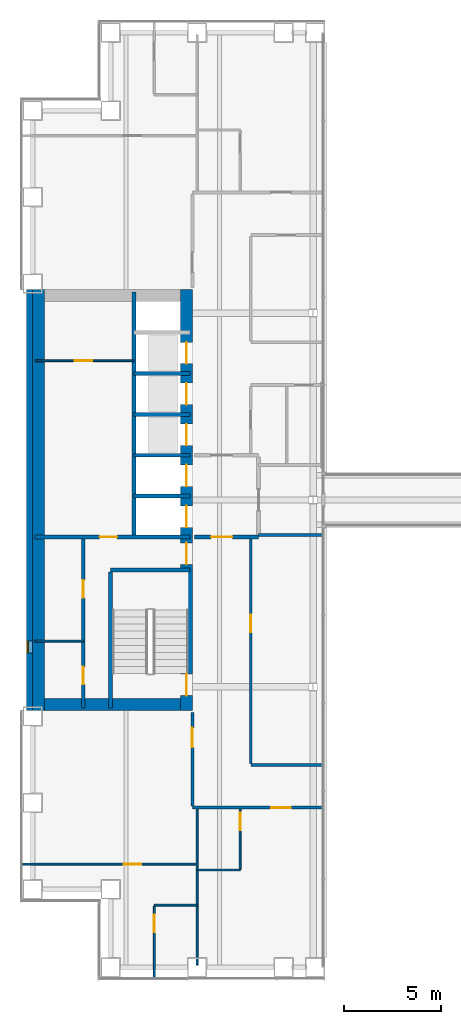
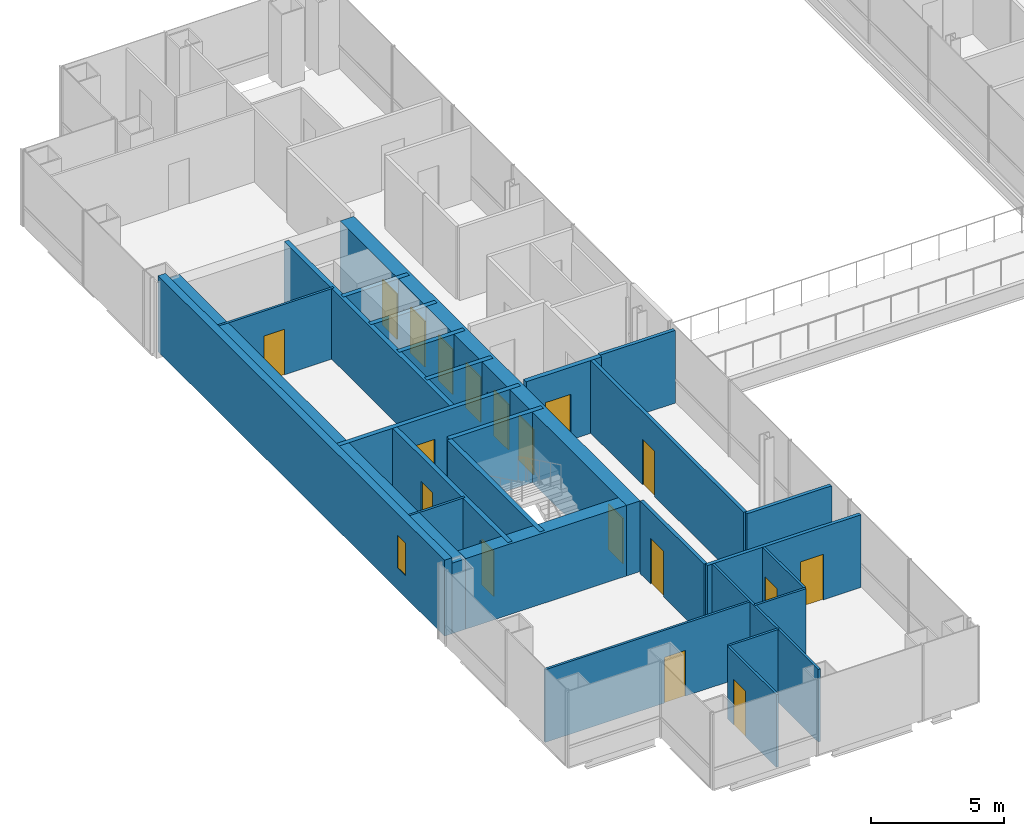
# One storey, part 13 of 18: 27 walls, 18 doors, 1 window, 19 openings.
"""IFC4 building model written with IfcOpenShell, lengths in metres."""

from ifc_helpers import new_model, si_unit, direction, frame, frame_2d, origin, place, context, subcontext, project, spatial, rectangle, extrude, material, layer, layer_set, type_object, element, fill, save


model = new_model("IFC4")

# Units and contexts
model_context = context("Model", 3, precision=1e-05, world=origin(), true_north=direction((0.0, 1.0)))
body_context = subcontext(model_context, "Body", "Model", "MODEL_VIEW")
ifc_project = project(units=[si_unit("LENGTHUNIT", "METRE"), si_unit("AREAUNIT", "SQUARE_METRE"), si_unit("VOLUMEUNIT", "CUBIC_METRE"), si_unit("PLANEANGLEUNIT", "RADIAN"), si_unit("MASSUNIT", "GRAM", prefix="KILO")], contexts=[model_context])

# Site, building, storey
site_placement = place(None, origin())
site = spatial("IfcSite", under=ifc_project, at=site_placement, CompositionType="ELEMENT")
building_placement = place(site_placement, origin())
building = spatial("IfcBuilding", under=site, at=building_placement, Name="Cobrizo Arcos Hotel Tower", CompositionType="ELEMENT")
storey_placement = place(building_placement, frame((0.0, 0.0, 77.5)))
storey = spatial("IfcBuildingStorey", under=building, at=storey_placement, Name="L18", CompositionType="ELEMENT", Elevation=77.5)

# Wall, opening, door
ifc_material_1 = material(Name="Gypsum board partition")
ifc_layer_1 = layer(ifc_material_1, 0.14990234375)
ifc_layer_set_1 = layer_set([ifc_layer_1], Name="Corridor wall EI 60 150")
wall_type_1 = type_object("IfcWallType", Name="Corridor wall EI 60 150", PredefinedType="PARTITIONING", material=ifc_layer_set_1)
wall_1_placement = place(storey_placement, frame((-15.800048828125, -15.800048828125, 0.0), z_axis=(0.0, 0.0, 1.0), x_axis=(1.0, 0.0, 0.0)))
wall_1 = element("IfcWall", 1, at=wall_1_placement, inside=storey, type_object=wall_type_1, Name="Partition 007", PredefinedType="PARTITIONING", context=body_context, shape_type="SweptSolid", body=[
    extrude(rectangle(XDim=6.679931640625, YDim=0.14990234375, at=frame_2d((3.33984375, 0.0))), origin(), (0.0, 0.0, 1.0), 3.35009765625),
])
opening_1_placement = place(wall_1_placement, frame((4.047119140625, 0.0, 0.0)))
opening_1 = element("IfcOpeningElement", 2, at=opening_1_placement, cuts=wall_1, Name="Opening GD-04", PredefinedType="OPENING", context=body_context, shape_type="SweptSolid", body=[
    extrude(rectangle(XDim=1.0, YDim=2.10009765625, at=frame_2d((0.5, 1.050048828125))), frame((0.0, 0.0869140625, 0.0), z_axis=(0.0, -1.0, 0.0), x_axis=(1.0, 0.0, 0.0)), (0.0, 0.0, 1.0), 0.173828125),
])
ifc_material_2 = material(Name="Timber door leaf", Category="wood")
door_type_1 = type_object("IfcDoorType", Name="Guest room door FD30S 1000x2100", OperationType="SINGLE_SWING_LEFT", PredefinedType="DOOR", material=ifc_material_2)
door_1_placement = place(opening_1_placement, origin())
door_1 = element("IfcDoor", 3, at=door_1_placement, inside=storey, type_object=door_type_1, Name="Door GD-04", OperationType="SINGLE_SWING_LEFT", OverallHeight=2.10009765625, OverallWidth=1.0, PredefinedType="DOOR", context=body_context, shape_type="SweptSolid", body=[
    extrude(rectangle(XDim=1.0, YDim=2.10009765625, at=frame_2d((0.5, 1.050048828125))), frame((0.0, 0.02490234375, 0.0), z_axis=(0.0, -1.0, 0.0), x_axis=(1.0, 0.0, 0.0)), (0.0, 0.0, 1.0), 0.050048828125),
])
fill(opening_1, door_1)

# Walls
wall_2_placement = place(storey_placement, frame((-12.800048828125, -13.60009765625, 0.0), z_axis=(0.0, 0.0, 1.0), x_axis=(1.0, 0.0, 0.0)))
element("IfcWall", 4, at=wall_2_placement, inside=storey, type_object=wall_type_1, Name="Partition 009", PredefinedType="PARTITIONING", context=body_context, shape_type="SweptSolid", body=[
    extrude(rectangle(XDim=3.679931640625, YDim=0.14990234375, at=frame_2d((1.83984375, 0.0))), origin(), (0.0, 0.0, 1.0), 3.35009765625),
])
wall_3_placement = place(storey_placement, frame((-12.39990234375, -1.800048828125, 0.0), z_axis=(0.0, 0.0, 1.0), x_axis=(1.0, 0.0, 0.0)))
element("IfcWall", 5, at=wall_3_placement, inside=storey, type_object=wall_type_1, Name="Partition 019", PredefinedType="PARTITIONING", context=body_context, shape_type="SweptSolid", body=[
    extrude(rectangle(XDim=3.27978515625, YDim=0.14990234375, at=frame_2d((1.639892578125, 0.0))), origin(), (0.0, 0.0, 1.0), 3.35009765625),
])

# Wall, opening, door
wall_4_placement = place(storey_placement, frame((-15.800048828125, -15.72509765625, 0.0), z_axis=(0.0, 0.0, 1.0), x_axis=(0.0, 1.0, 0.0)))
wall_4 = element("IfcWall", 6, at=wall_4_placement, inside=storey, type_object=wall_type_1, Name="Partition 055", PredefinedType="PARTITIONING", context=body_context, shape_type="SweptSolid", body=[
    extrude(rectangle(XDim=4.80517578125, YDim=0.14990234375, at=frame_2d((2.402587890625, 0.0))), origin(), (0.0, 0.0, 1.0), 3.35009765625),
])
opening_2_placement = place(wall_4_placement, frame((3.02490234375, 0.0, 0.0)))
opening_2 = element("IfcOpeningElement", 7, at=opening_2_placement, cuts=wall_4, Name="Opening GD-05", PredefinedType="OPENING", context=body_context, shape_type="SweptSolid", body=[
    extrude(rectangle(XDim=1.0, YDim=2.10009765625, at=frame_2d((0.5, 1.050048828125))), frame((0.0, 0.0869140625, 0.0), z_axis=(0.0, -1.0, 0.0), x_axis=(1.0, 0.0, 0.0)), (0.0, 0.0, 1.0), 0.173828125),
])
door_2_placement = place(opening_2_placement, origin())
door_2 = element("IfcDoor", 8, at=door_2_placement, inside=storey, type_object=door_type_1, Name="Door GD-05", OperationType="SINGLE_SWING_RIGHT", OverallHeight=2.10009765625, OverallWidth=1.0, PredefinedType="DOOR", context=body_context, shape_type="SweptSolid", body=[
    extrude(rectangle(XDim=1.0, YDim=2.10009765625, at=frame_2d((0.5, 1.050048828125))), frame((0.0, 0.02490234375, 0.0), z_axis=(0.0, -1.0, 0.0), x_axis=(1.0, 0.0, 0.0)), (0.0, 0.0, 1.0), 0.050048828125),
])
fill(opening_2, door_2)

wall_5_placement = place(storey_placement, frame((-12.800048828125, -13.52490234375, 0.0), z_axis=(0.0, 0.0, 1.0), x_axis=(0.0, 1.0, 0.0)))
wall_5 = element("IfcWall", 9, at=wall_5_placement, inside=storey, type_object=wall_type_1, Name="Partition 061", PredefinedType="PARTITIONING", context=body_context, shape_type="SweptSolid", body=[
    extrude(rectangle(XDim=11.52490234375, YDim=0.14990234375, at=frame_2d((5.762451171875, 0.0))), origin(), (0.0, 0.0, 1.0), 3.35009765625),
])
opening_3_placement = place(wall_5_placement, frame((6.72509765625, 0.0, 0.0)))
opening_3 = element("IfcOpeningElement", 10, at=opening_3_placement, cuts=wall_5, Name="Opening RD-17", PredefinedType="OPENING", context=body_context, shape_type="SweptSolid", body=[
    extrude(rectangle(XDim=0.89990234375, YDim=2.10009765625, at=frame_2d((0.449951171875, 1.050048828125))), frame((0.0, 0.0869140625, 0.0), z_axis=(0.0, -1.0, 0.0), x_axis=(1.0, 0.0, 0.0)), (0.0, 0.0, 1.0), 0.173828125),
])
door_type_2 = type_object("IfcDoorType", Name="Room door FD30 900x2100", OperationType="SINGLE_SWING_LEFT", PredefinedType="DOOR", material=ifc_material_2)
door_3_placement = place(opening_3_placement, origin())
door_3 = element("IfcDoor", 11, at=door_3_placement, inside=storey, type_object=door_type_2, Name="Door RD-17", OperationType="SINGLE_SWING_RIGHT", OverallHeight=2.10009765625, OverallWidth=0.89990234375, PredefinedType="DOOR", context=body_context, shape_type="SweptSolid", body=[
    extrude(rectangle(XDim=0.89990234375, YDim=2.10009765625, at=frame_2d((0.449951171875, 1.050048828125))), frame((0.0, 0.02490234375, 0.0), z_axis=(0.0, -1.0, 0.0), x_axis=(1.0, 0.0, 0.0)), (0.0, 0.0, 1.0), 0.050048828125),
])
fill(opening_3, door_3)

# Wall, opening, window
ifc_material_3 = material(Name="Aluminium composite panel pale metal", Category="aluminium")
ifc_layer_2 = layer(ifc_material_3, 0.324951171875)
ifc_layer_set_2 = layer_set([ifc_layer_2], Name="EW-1 insulated panel wall 325")
wall_type_2 = type_object("IfcWallType", Name="EW-1 insulated panel wall 325", PredefinedType="SOLIDWALL", material=ifc_layer_set_2)
wall_6_placement = place(storey_placement, frame((-24.16259765625, 10.800048828125, 0.0), z_axis=(0.0, 0.0, 1.0), x_axis=(0.0, -1.0, 0.0)))
wall_6 = element("IfcWall", 12, at=wall_6_placement, inside=storey, type_object=wall_type_2, Name="Core face wall L18 W", PredefinedType="SOLIDWALL", context=body_context, shape_type="SweptSolid", body=[
    extrude(rectangle(XDim=21.60009765625, YDim=0.324951171875, at=frame_2d((10.800048828125, 0.0))), origin(), (0.0, 0.0, 1.0), 3.5),
])
opening_4_placement = place(wall_6_placement, frame((18.050048828125, 0.0, 1.0)))
opening_4 = element("IfcOpeningElement", 13, at=opening_4_placement, cuts=wall_6, Name="Opening W-32", PredefinedType="OPENING", context=body_context, shape_type="SweptSolid", body=[
    extrude(rectangle(XDim=0.60009765625, YDim=1.5, at=frame_2d((0.300048828125, 0.75))), frame((0.0, 0.174560546875, 0.0), z_axis=(0.0, -1.0, 0.0), x_axis=(1.0, 0.0, 0.0)), (0.0, 0.0, 1.0), 0.348876953125),
])
ifc_material_4 = material(Name="Aluminium 6063-T6 and clear laminated glass", Category="aluminium")
window_type = type_object("IfcWindowType", Name="W-C1 core stair slot window 600x1500", PartitioningType="SINGLE_PANEL", PredefinedType="WINDOW", material=ifc_material_4)
window_placement = place(opening_4_placement, origin())
window = element("IfcWindow", 14, at=window_placement, inside=storey, type_object=window_type, Name="Core face wall L18 W window W-32", OverallHeight=1.5, OverallWidth=0.60009765625, PartitioningType="SINGLE_PANEL", PredefinedType="WINDOW", context=body_context, shape_type="SweptSolid", body=[
    extrude(rectangle(XDim=0.60009765625, YDim=1.5, at=frame_2d((0.300048828125, 0.75))), frame((0.0, -0.072509765625, 0.0), z_axis=(0.0, -1.0, 0.0), x_axis=(1.0, 0.0, 0.0)), (0.0, 0.0, 1.0), 0.06005859375),
])
fill(opening_4, window)

# Walls
ifc_layer_3 = layer(ifc_material_1, 0.10009765625)
ifc_layer_set_3 = layer_set([ifc_layer_3], Name="Partition EI 30 100")
wall_type_3 = type_object("IfcWallType", Name="Partition EI 30 100", PredefinedType="PARTITIONING", material=ifc_layer_set_3)
for number, where, z_axis, x_axis, name in (
    (15, (-17.75, -20.800048828125, 0.0), (0.0, 0.0, 1.0), (1.0, 0.0, 0.0), "Partition 001"),
    (16, (-15.550048828125, -19.0, 0.0), (0.0, 0.0, 1.0), (1.0, 0.0, 0.0), "Partition 003"),
):
    element("IfcWall", number, at=place(storey_placement, frame(where, z_axis=z_axis, x_axis=x_axis)), inside=storey, type_object=wall_type_3, Name=name, PredefinedType="PARTITIONING", context=body_context, shape_type="SweptSolid", body=[
        extrude(rectangle(XDim=2.199951171875, YDim=0.10009765625, at=frame_2d((1.10009765625, 0.0))), origin(), (0.0, 0.0, 1.0), 3.35009765625),
    ])

# Wall, opening, door
wall_7_placement = place(storey_placement, frame((-24.530029296875, -18.699951171875, 0.0), z_axis=(0.0, 0.0, 1.0), x_axis=(1.0, 0.0, 0.0)))
wall_7 = element("IfcWall", 17, at=wall_7_placement, inside=storey, type_object=wall_type_3, Name="Partition 005", PredefinedType="PARTITIONING", context=body_context, shape_type="SweptSolid", body=[
    extrude(rectangle(XDim=8.97998046875, YDim=0.10009765625, at=frame_2d((4.489990234375, 0.0))), origin(), (0.0, 0.0, 1.0), 3.35009765625),
])
opening_5_placement = place(wall_7_placement, frame((5.201904296875, 0.0, 0.0)))
opening_5 = element("IfcOpeningElement", 18, at=opening_5_placement, cuts=wall_7, Name="Opening RD-09", PredefinedType="OPENING", context=body_context, shape_type="SweptSolid", body=[
    extrude(rectangle(XDim=0.89990234375, YDim=2.10009765625, at=frame_2d((0.449951171875, 1.050048828125))), frame((0.0, 0.06201171875, 0.0), z_axis=(0.0, -1.0, 0.0), x_axis=(1.0, 0.0, 0.0)), (0.0, 0.0, 1.0), 0.1240234375),
])
door_4_placement = place(opening_5_placement, origin())
door_4 = element("IfcDoor", 19, at=door_4_placement, inside=storey, type_object=door_type_2, Name="Door RD-09", OperationType="SINGLE_SWING_LEFT", OverallHeight=2.10009765625, OverallWidth=0.89990234375, PredefinedType="DOOR", context=body_context, shape_type="SweptSolid", body=[
    extrude(rectangle(XDim=0.89990234375, YDim=2.10009765625, at=frame_2d((0.449951171875, 1.050048828125))), frame((0.0, 0.02490234375, 0.0), z_axis=(0.0, -1.0, 0.0), x_axis=(1.0, 0.0, 0.0)), (0.0, 0.0, 1.0), 0.050048828125),
])
fill(opening_5, door_4)

# Wall
wall_8_placement = place(storey_placement, frame((-23.8798828125, -7.25, 0.0), z_axis=(0.0, 0.0, 1.0), x_axis=(1.0, 0.0, 0.0)))
element("IfcWall", 20, at=wall_8_placement, inside=storey, type_object=wall_type_3, Name="Partition 011", PredefinedType="PARTITIONING", context=body_context, shape_type="SweptSolid", body=[
    extrude(rectangle(XDim=2.47998046875, YDim=0.10009765625, at=frame_2d((1.239990234375, 0.0))), origin(), (0.0, 0.0, 1.0), 3.25),
])

# Wall, opening, door
wall_9_placement = place(storey_placement, frame((-23.8798828125, 7.14990234375, 0.0), z_axis=(0.0, 0.0, 1.0), x_axis=(1.0, 0.0, 0.0)))
wall_9 = element("IfcWall", 21, at=wall_9_placement, inside=storey, type_object=wall_type_3, Name="Partition 035", PredefinedType="PARTITIONING", context=body_context, shape_type="SweptSolid", body=[
    extrude(rectangle(XDim=5.079833984375, YDim=0.10009765625, at=frame_2d((2.5400390625, 0.0))), origin(), (0.0, 0.0, 1.0), 3.25),
])
opening_6_placement = place(wall_9_placement, frame((2.030029296875, 0.0, 0.0)))
opening_6 = element("IfcOpeningElement", 22, at=opening_6_placement, cuts=wall_9, Name="Opening RD-04", PredefinedType="OPENING", context=body_context, shape_type="SweptSolid", body=[
    extrude(rectangle(XDim=0.89990234375, YDim=2.10009765625, at=frame_2d((0.449951171875, 1.050048828125))), frame((0.0, 0.06201171875, 0.0), z_axis=(0.0, -1.0, 0.0), x_axis=(1.0, 0.0, 0.0)), (0.0, 0.0, 1.0), 0.1240234375),
])
door_5_placement = place(opening_6_placement, origin())
door_5 = element("IfcDoor", 23, at=door_5_placement, inside=storey, type_object=door_type_2, Name="Door RD-04", OperationType="SINGLE_SWING_RIGHT", OverallHeight=2.10009765625, OverallWidth=0.89990234375, PredefinedType="DOOR", context=body_context, shape_type="SweptSolid", body=[
    extrude(rectangle(XDim=0.89990234375, YDim=2.10009765625, at=frame_2d((0.449951171875, 1.050048828125))), frame((0.0, 0.02490234375, 0.0), z_axis=(0.0, -1.0, 0.0), x_axis=(1.0, 0.0, 0.0)), (0.0, 0.0, 1.0), 0.050048828125),
])
fill(opening_6, door_5)

wall_10_placement = place(storey_placement, frame((-17.75, -24.530029296875, 0.0), z_axis=(0.0, 0.0, 1.0), x_axis=(0.0, 1.0, 0.0)))
wall_10 = element("IfcWall", 24, at=wall_10_placement, inside=storey, type_object=wall_type_3, Name="Partition 053", PredefinedType="PARTITIONING", context=body_context, shape_type="SweptSolid", body=[
    extrude(rectangle(XDim=3.679931640625, YDim=0.10009765625, at=frame_2d((1.83984375, 0.0))), origin(), (0.0, 0.0, 1.0), 3.35009765625),
])
opening_7_placement = place(wall_10_placement, frame((2.320068359375, 0.0, 0.0)))
opening_7 = element("IfcOpeningElement", 25, at=opening_7_placement, cuts=wall_10, Name="Opening ED-05", PredefinedType="OPENING", context=body_context, shape_type="SweptSolid", body=[
    extrude(rectangle(XDim=0.89990234375, YDim=2.10009765625, at=frame_2d((0.449951171875, 1.050048828125))), frame((0.0, 0.06201171875, 0.0), z_axis=(0.0, -1.0, 0.0), x_axis=(1.0, 0.0, 0.0)), (0.0, 0.0, 1.0), 0.1240234375),
])
door_type_3 = type_object("IfcDoorType", Name="En-suite door 900x2100", OperationType="SINGLE_SWING_LEFT", PredefinedType="DOOR", material=ifc_material_2)
door_6_placement = place(opening_7_placement, origin())
door_6 = element("IfcDoor", 26, at=door_6_placement, inside=storey, type_object=door_type_3, Name="Door ED-05", OperationType="SINGLE_SWING_RIGHT", OverallHeight=2.10009765625, OverallWidth=0.89990234375, PredefinedType="DOOR", context=body_context, shape_type="SweptSolid", body=[
    extrude(rectangle(XDim=0.89990234375, YDim=2.10009765625, at=frame_2d((0.449951171875, 1.050048828125))), frame((0.0, 0.02490234375, 0.0), z_axis=(0.0, -1.0, 0.0), x_axis=(1.0, 0.0, 0.0)), (0.0, 0.0, 1.0), 0.050048828125),
])
fill(opening_7, door_6)

# Wall
wall_11_placement = place(storey_placement, frame((-15.550048828125, -23.8798828125, 0.0), z_axis=(0.0, 0.0, 1.0), x_axis=(0.0, 1.0, 0.0)))
element("IfcWall", 27, at=wall_11_placement, inside=storey, type_object=wall_type_3, Name="Partition 057", PredefinedType="PARTITIONING", context=body_context, shape_type="SweptSolid", body=[
    extrude(rectangle(XDim=8.0048828125, YDim=0.10009765625, at=frame_2d((4.00244140625, 0.0))), origin(), (0.0, 0.0, 1.0), 3.35009765625),
])

# Wall, opening, door
wall_12_placement = place(storey_placement, frame((-13.35009765625, -18.949951171875, 0.0), z_axis=(0.0, 0.0, 1.0), x_axis=(0.0, 1.0, 0.0)))
wall_12 = element("IfcWall", 28, at=wall_12_placement, inside=storey, type_object=wall_type_3, Name="Partition 059", PredefinedType="PARTITIONING", context=body_context, shape_type="SweptSolid", body=[
    extrude(rectangle(XDim=3.074951171875, YDim=0.10009765625, at=frame_2d((1.53759765625, 0.0))), origin(), (0.0, 0.0, 1.0), 3.35009765625),
])
opening_8_placement = place(wall_12_placement, frame((1.99609375, 0.0, 0.0)))
opening_8 = element("IfcOpeningElement", 29, at=opening_8_placement, cuts=wall_12, Name="Opening ED-04", PredefinedType="OPENING", context=body_context, shape_type="SweptSolid", body=[
    extrude(rectangle(XDim=0.89990234375, YDim=2.10009765625, at=frame_2d((0.449951171875, 1.050048828125))), frame((0.0, 0.06201171875, 0.0), z_axis=(0.0, -1.0, 0.0), x_axis=(1.0, 0.0, 0.0)), (0.0, 0.0, 1.0), 0.1240234375),
])
door_7_placement = place(opening_8_placement, origin())
door_7 = element("IfcDoor", 30, at=door_7_placement, inside=storey, type_object=door_type_3, Name="Door ED-04", OperationType="SINGLE_SWING_RIGHT", OverallHeight=2.10009765625, OverallWidth=0.89990234375, PredefinedType="DOOR", context=body_context, shape_type="SweptSolid", body=[
    extrude(rectangle(XDim=0.89990234375, YDim=2.10009765625, at=frame_2d((0.449951171875, 1.050048828125))), frame((0.0, 0.02490234375, 0.0), z_axis=(0.0, -1.0, 0.0), x_axis=(1.0, 0.0, 0.0)), (0.0, 0.0, 1.0), 0.050048828125),
])
fill(opening_8, door_7)

# Wall, openings, doors
ifc_material_5 = material(Name="Concrete f'c 60 MPa", Category="concrete")
ifc_layer_4 = layer(ifc_material_5, 0.60009765625)
ifc_layer_set_4 = layer_set([ifc_layer_4], Name="RC core wall 600 f'c 60")
wall_type_4 = type_object("IfcWallType", Name="RC core wall 600 f'c 60", PredefinedType="SHEAR", material=ifc_layer_set_4)
wall_13_placement = place(storey_placement, frame((-16.10009765625, -10.800048828125, 0.0), z_axis=(0.0, 0.0, 1.0), x_axis=(0.0, 1.0, 0.0)))
wall_13 = element("IfcWall", 31, at=wall_13_placement, inside=storey, type_object=wall_type_4, Name="Core wall CW1, west core, inner face, L18", PredefinedType="SHEAR", context=body_context, shape_type="SweptSolid", body=[
    extrude(rectangle(XDim=21.60009765625, YDim=0.60009765625, at=frame_2d((10.800048828125, 0.0))), origin(), (0.0, 0.0, 1.0), 3.25),
])
opening_9_placement = place(wall_13_placement, frame((9.39990234375, 0.0, 0.0)))
opening_9 = element("IfcOpeningElement", 32, at=opening_9_placement, cuts=wall_13, Name="Opening LD-01", PredefinedType="OPENING", context=body_context, shape_type="SweptSolid", body=[
    extrude(rectangle(XDim=1.10009765625, YDim=2.10009765625, at=frame_2d((0.550048828125, 1.050048828125))), frame((0.0, 0.31201171875, 0.0), z_axis=(0.0, -1.0, 0.0), x_axis=(1.0, 0.0, 0.0)), (0.0, 0.0, 1.0), 0.6240234375),
])
opening_10_placement = place(wall_13_placement, frame((11.5, 0.0, 0.0)))
opening_10 = element("IfcOpeningElement", 33, at=opening_10_placement, cuts=wall_13, Name="Opening LD-02", PredefinedType="OPENING", context=body_context, shape_type="SweptSolid", body=[
    extrude(rectangle(XDim=1.10009765625, YDim=2.10009765625, at=frame_2d((0.550048828125, 1.050048828125))), frame((0.0, 0.31201171875, 0.0), z_axis=(0.0, -1.0, 0.0), x_axis=(1.0, 0.0, 0.0)), (0.0, 0.0, 1.0), 0.6240234375),
])
opening_11_placement = place(wall_13_placement, frame((13.60009765625, 0.0, 0.0)))
opening_11 = element("IfcOpeningElement", 34, at=opening_11_placement, cuts=wall_13, Name="Opening LD-03", PredefinedType="OPENING", context=body_context, shape_type="SweptSolid", body=[
    extrude(rectangle(XDim=1.10009765625, YDim=2.10009765625, at=frame_2d((0.550048828125, 1.050048828125))), frame((0.0, 0.31201171875, 0.0), z_axis=(0.0, -1.0, 0.0), x_axis=(1.0, 0.0, 0.0)), (0.0, 0.0, 1.0), 0.6240234375),
])
opening_12_placement = place(wall_13_placement, frame((15.699951171875, 0.0, 0.0)))
opening_12 = element("IfcOpeningElement", 35, at=opening_12_placement, cuts=wall_13, Name="Opening LD-04", PredefinedType="OPENING", context=body_context, shape_type="SweptSolid", body=[
    extrude(rectangle(XDim=1.10009765625, YDim=2.10009765625, at=frame_2d((0.550048828125, 1.050048828125))), frame((0.0, 0.31201171875, 0.0), z_axis=(0.0, -1.0, 0.0), x_axis=(1.0, 0.0, 0.0)), (0.0, 0.0, 1.0), 0.6240234375),
])
opening_13_placement = place(wall_13_placement, frame((17.800048828125, 0.0, 0.0)))
opening_13 = element("IfcOpeningElement", 36, at=opening_13_placement, cuts=wall_13, Name="Opening LD-05", PredefinedType="OPENING", context=body_context, shape_type="SweptSolid", body=[
    extrude(rectangle(XDim=1.10009765625, YDim=2.10009765625, at=frame_2d((0.550048828125, 1.050048828125))), frame((0.0, 0.31201171875, 0.0), z_axis=(0.0, -1.0, 0.0), x_axis=(1.0, 0.0, 0.0)), (0.0, 0.0, 1.0), 0.6240234375),
])
opening_14_placement = place(wall_13_placement, frame((0.758056640625, 0.0, 0.0)))
opening_14 = element("IfcOpeningElement", 37, at=opening_14_placement, cuts=wall_13, Name="Opening SD-01", PredefinedType="OPENING", context=body_context, shape_type="SweptSolid", body=[
    extrude(rectangle(XDim=1.10009765625, YDim=2.10009765625, at=frame_2d((0.550048828125, 1.050048828125))), frame((0.0, 0.31201171875, 0.0), z_axis=(0.0, -1.0, 0.0), x_axis=(1.0, 0.0, 0.0)), (0.0, 0.0, 1.0), 0.6240234375),
])
opening_15_placement = place(wall_13_placement, frame((7.5, 0.0, 0.0)))
opening_15 = element("IfcOpeningElement", 38, at=opening_15_placement, cuts=wall_13, Name="Opening FD-01", PredefinedType="OPENING", context=body_context, shape_type="SweptSolid", body=[
    extrude(rectangle(XDim=1.10009765625, YDim=2.10009765625, at=frame_2d((0.550048828125, 1.050048828125))), frame((0.0, 0.31201171875, 0.0), z_axis=(0.0, -1.0, 0.0), x_axis=(1.0, 0.0, 0.0)), (0.0, 0.0, 1.0), 0.6240234375),
])
ifc_material_6 = material(Name="Steel door leaf", Category="steel")
door_type_4 = type_object("IfcDoorType", Name="Fire door FD60 1100x2100", OperationType="SINGLE_SWING_LEFT", PredefinedType="DOOR", material=ifc_material_6)
door_8_placement = place(opening_15_placement, origin())
door_8 = element("IfcDoor", 39, at=door_8_placement, inside=storey, type_object=door_type_4, Name="Door FD-01", OperationType="SINGLE_SWING_RIGHT", OverallHeight=2.10009765625, OverallWidth=1.10009765625, PredefinedType="DOOR", context=body_context, shape_type="SweptSolid", body=[
    extrude(rectangle(XDim=1.10009765625, YDim=2.10009765625, at=frame_2d((0.550048828125, 1.050048828125))), frame((0.0, 0.02490234375, 0.0), z_axis=(0.0, -1.0, 0.0), x_axis=(1.0, 0.0, 0.0)), (0.0, 0.0, 1.0), 0.050048828125),
])
fill(opening_15, door_8)
door_type_5 = type_object("IfcDoorType", Name="Lift landing door 1100x2100", OperationType="SLIDING_TO_LEFT", PredefinedType="DOOR", material=ifc_material_6)
door_9_placement = place(opening_9_placement, origin())
door_9 = element("IfcDoor", 40, at=door_9_placement, inside=storey, type_object=door_type_5, Name="Lift landing door LD-01", OperationType="SLIDING_TO_LEFT", OverallHeight=2.10009765625, OverallWidth=1.10009765625, PredefinedType="DOOR", context=body_context, shape_type="SweptSolid", body=[
    extrude(rectangle(XDim=1.10009765625, YDim=2.10009765625, at=frame_2d((0.550048828125, 1.050048828125))), frame((0.0, 0.02490234375, 0.0), z_axis=(0.0, -1.0, 0.0), x_axis=(1.0, 0.0, 0.0)), (0.0, 0.0, 1.0), 0.050048828125),
])
fill(opening_9, door_9)
door_10_placement = place(opening_10_placement, origin())
door_10 = element("IfcDoor", 41, at=door_10_placement, inside=storey, type_object=door_type_5, Name="Lift landing door LD-02", OperationType="SLIDING_TO_LEFT", OverallHeight=2.10009765625, OverallWidth=1.10009765625, PredefinedType="DOOR", context=body_context, shape_type="SweptSolid", body=[
    extrude(rectangle(XDim=1.10009765625, YDim=2.10009765625, at=frame_2d((0.550048828125, 1.050048828125))), frame((0.0, 0.02490234375, 0.0), z_axis=(0.0, -1.0, 0.0), x_axis=(1.0, 0.0, 0.0)), (0.0, 0.0, 1.0), 0.050048828125),
])
fill(opening_10, door_10)
door_11_placement = place(opening_11_placement, origin())
door_11 = element("IfcDoor", 42, at=door_11_placement, inside=storey, type_object=door_type_5, Name="Lift landing door LD-03", OperationType="SLIDING_TO_LEFT", OverallHeight=2.10009765625, OverallWidth=1.10009765625, PredefinedType="DOOR", context=body_context, shape_type="SweptSolid", body=[
    extrude(rectangle(XDim=1.10009765625, YDim=2.10009765625, at=frame_2d((0.550048828125, 1.050048828125))), frame((0.0, 0.02490234375, 0.0), z_axis=(0.0, -1.0, 0.0), x_axis=(1.0, 0.0, 0.0)), (0.0, 0.0, 1.0), 0.050048828125),
])
fill(opening_11, door_11)
door_12_placement = place(opening_12_placement, origin())
door_12 = element("IfcDoor", 43, at=door_12_placement, inside=storey, type_object=door_type_5, Name="Lift landing door LD-04", OperationType="SLIDING_TO_LEFT", OverallHeight=2.10009765625, OverallWidth=1.10009765625, PredefinedType="DOOR", context=body_context, shape_type="SweptSolid", body=[
    extrude(rectangle(XDim=1.10009765625, YDim=2.10009765625, at=frame_2d((0.550048828125, 1.050048828125))), frame((0.0, 0.02490234375, 0.0), z_axis=(0.0, -1.0, 0.0), x_axis=(1.0, 0.0, 0.0)), (0.0, 0.0, 1.0), 0.050048828125),
])
fill(opening_12, door_12)
door_13_placement = place(opening_13_placement, origin())
door_13 = element("IfcDoor", 44, at=door_13_placement, inside=storey, type_object=door_type_5, Name="Lift landing door LD-05", OperationType="SLIDING_TO_LEFT", OverallHeight=2.10009765625, OverallWidth=1.10009765625, PredefinedType="DOOR", context=body_context, shape_type="SweptSolid", body=[
    extrude(rectangle(XDim=1.10009765625, YDim=2.10009765625, at=frame_2d((0.550048828125, 1.050048828125))), frame((0.0, 0.02490234375, 0.0), z_axis=(0.0, -1.0, 0.0), x_axis=(1.0, 0.0, 0.0)), (0.0, 0.0, 1.0), 0.050048828125),
])
fill(opening_13, door_13)
door_type_6 = type_object("IfcDoorType", Name="Stair door FD60S 1100x2100", OperationType="SINGLE_SWING_LEFT", PredefinedType="DOOR", material=ifc_material_6)
door_14_placement = place(opening_14_placement, origin())
door_14 = element("IfcDoor", 45, at=door_14_placement, inside=storey, type_object=door_type_6, Name="Door SD-01", OperationType="SINGLE_SWING_RIGHT", OverallHeight=2.10009765625, OverallWidth=1.10009765625, PredefinedType="DOOR", context=body_context, shape_type="SweptSolid", body=[
    extrude(rectangle(XDim=1.10009765625, YDim=2.10009765625, at=frame_2d((0.550048828125, 1.050048828125))), frame((0.0, 0.02490234375, 0.0), z_axis=(0.0, -1.0, 0.0), x_axis=(1.0, 0.0, 0.0)), (0.0, 0.0, 1.0), 0.050048828125),
])
fill(opening_14, door_14)

# Walls
wall_14_placement = place(storey_placement, frame((-23.699951171875, -10.800048828125, 0.0), z_axis=(0.0, 0.0, 1.0), x_axis=(0.0, 1.0, 0.0)))
element("IfcWall", 46, at=wall_14_placement, inside=storey, type_object=wall_type_4, Name="Core wall CW1, west core, outer face, L18", PredefinedType="SHEAR", context=body_context, shape_type="SweptSolid", body=[
    extrude(rectangle(XDim=21.60009765625, YDim=0.60009765625, at=frame_2d((10.800048828125, 0.0))), origin(), (0.0, 0.0, 1.0), 3.25),
])
wall_15_placement = place(storey_placement, frame((-23.39990234375, -10.5, 0.0), z_axis=(0.0, 0.0, 1.0), x_axis=(1.0, 0.0, 0.0)))
element("IfcWall", 47, at=wall_15_placement, inside=storey, type_object=wall_type_4, Name="Core wall CW1, west core, south end, L18", PredefinedType="SHEAR", context=body_context, shape_type="SweptSolid", body=[
    extrude(rectangle(XDim=7.0, YDim=0.60009765625, at=frame_2d((3.5, 0.0))), origin(), (0.0, 0.0, 1.0), 3.25),
])

# Wall, opening, door
ifc_layer_5 = layer(ifc_material_1, 0.199951171875)
ifc_layer_set_5 = layer_set([ifc_layer_5], Name="Shaft wall EI 120 200")
wall_type_5 = type_object("IfcWallType", Name="Shaft wall EI 120 200", PredefinedType="PARTITIONING", material=ifc_layer_set_5)
wall_16_placement = place(storey_placement, frame((-23.8798828125, -1.89990234375, 0.0), z_axis=(0.0, 0.0, 1.0), x_axis=(1.0, 0.0, 0.0)))
wall_16 = element("IfcWall", 48, at=wall_16_placement, inside=storey, type_object=wall_type_5, Name="Partition 015", PredefinedType="PARTITIONING", context=body_context, shape_type="SweptSolid", body=[
    extrude(rectangle(XDim=7.9599609375, YDim=0.199951171875, at=frame_2d((3.97998046875, 0.0))), origin(), (0.0, 0.0, 1.0), 3.25),
])
opening_16_placement = place(wall_16_placement, frame((3.320068359375, 0.0, 0.0)))
opening_16 = element("IfcOpeningElement", 49, at=opening_16_placement, cuts=wall_16, Name="Opening RD-03", PredefinedType="OPENING", context=body_context, shape_type="SweptSolid", body=[
    extrude(rectangle(XDim=0.89990234375, YDim=2.10009765625, at=frame_2d((0.449951171875, 1.050048828125))), frame((0.0, 0.112060546875, 0.0), z_axis=(0.0, -1.0, 0.0), x_axis=(1.0, 0.0, 0.0)), (0.0, 0.0, 1.0), 0.223876953125),
])
door_15_placement = place(opening_16_placement, origin())
door_15 = element("IfcDoor", 50, at=door_15_placement, inside=storey, type_object=door_type_2, Name="Door RD-03", OperationType="SINGLE_SWING_RIGHT", OverallHeight=2.10009765625, OverallWidth=0.89990234375, PredefinedType="DOOR", context=body_context, shape_type="SweptSolid", body=[
    extrude(rectangle(XDim=0.89990234375, YDim=2.10009765625, at=frame_2d((0.449951171875, 1.050048828125))), frame((0.0, 0.02490234375, 0.0), z_axis=(0.0, -1.0, 0.0), x_axis=(1.0, 0.0, 0.0)), (0.0, 0.0, 1.0), 0.050048828125),
])
fill(opening_16, door_15)

wall_17_placement = place(storey_placement, frame((-15.679931640625, -1.89990234375, 0.0), z_axis=(0.0, 0.0, 1.0), x_axis=(1.0, 0.0, 0.0)))
wall_17 = element("IfcWall", 51, at=wall_17_placement, inside=storey, type_object=wall_type_5, Name="Partition 016", PredefinedType="PARTITIONING", context=body_context, shape_type="SweptSolid", body=[
    extrude(rectangle(XDim=3.280029296875, YDim=0.199951171875, at=frame_2d((1.64013671875, 0.0))), origin(), (0.0, 0.0, 1.0), 3.35009765625),
])
opening_17_placement = place(wall_17_placement, frame((0.840087890625, 0.0, 0.0)))
opening_17 = element("IfcOpeningElement", 52, at=opening_17_placement, cuts=wall_17, Name="Opening FD-03", PredefinedType="OPENING", context=body_context, shape_type="SweptSolid", body=[
    extrude(rectangle(XDim=1.10009765625, YDim=2.10009765625, at=frame_2d((0.550048828125, 1.050048828125))), frame((0.0, 0.112060546875, 0.0), z_axis=(0.0, -1.0, 0.0), x_axis=(1.0, 0.0, 0.0)), (0.0, 0.0, 1.0), 0.223876953125),
])
door_16_placement = place(opening_17_placement, origin())
door_16 = element("IfcDoor", 53, at=door_16_placement, inside=storey, type_object=door_type_4, Name="Door FD-03", OperationType="SINGLE_SWING_LEFT", OverallHeight=2.10009765625, OverallWidth=1.10009765625, PredefinedType="DOOR", context=body_context, shape_type="SweptSolid", body=[
    extrude(rectangle(XDim=1.10009765625, YDim=2.10009765625, at=frame_2d((0.550048828125, 1.050048828125))), frame((0.0, 0.02490234375, 0.0), z_axis=(0.0, -1.0, 0.0), x_axis=(1.0, 0.0, 0.0)), (0.0, 0.0, 1.0), 0.050048828125),
])
fill(opening_17, door_16)

# Walls
for number, where, z_axis, x_axis, name in (
    (54, (-18.800048828125, 0.199951171875, 0.0), (0.0, 0.0, 1.0), (1.0, 0.0, 0.0), "Partition 021"),
    (55, (-18.800048828125, 2.300048828125, 0.0), (0.0, 0.0, 1.0), (1.0, 0.0, 0.0), "Partition 025"),
    (56, (-18.800048828125, 4.39990234375, 0.0), (0.0, 0.0, 1.0), (1.0, 0.0, 0.0), "Partition 029"),
    (57, (-18.800048828125, 6.5, 0.0), (0.0, 0.0, 1.0), (1.0, 0.0, 0.0), "Partition 033"),
):
    element("IfcWall", number, at=place(storey_placement, frame(where, z_axis=z_axis, x_axis=x_axis)), inside=storey, type_object=wall_type_5, Name=name, PredefinedType="PARTITIONING", context=body_context, shape_type="SweptSolid", body=[
        extrude(rectangle(XDim=2.880126953125, YDim=0.199951171875, at=frame_2d((1.43994140625, 0.0))), origin(), (0.0, 0.0, 1.0), 3.25),
    ])

# Wall, openings, doors
wall_18_placement = place(storey_placement, frame((-21.39990234375, -10.679931640625, 0.0), z_axis=(0.0, 0.0, 1.0), x_axis=(0.0, 1.0, 0.0)))
wall_18 = element("IfcWall", 58, at=wall_18_placement, inside=storey, type_object=wall_type_5, Name="Partition 050", PredefinedType="PARTITIONING", context=body_context, shape_type="SweptSolid", body=[
    extrude(rectangle(XDim=8.679931640625, YDim=0.199951171875, at=frame_2d((4.33984375, 0.0))), origin(), (0.0, 0.0, 1.0), 3.25),
])
opening_18_placement = place(wall_18_placement, frame((1.2099609375, 0.0, 0.0)))
opening_18 = element("IfcOpeningElement", 59, at=opening_18_placement, cuts=wall_18, Name="Opening RD-01", PredefinedType="OPENING", context=body_context, shape_type="SweptSolid", body=[
    extrude(rectangle(XDim=0.89990234375, YDim=2.10009765625, at=frame_2d((0.449951171875, 1.050048828125))), frame((0.0, 0.112060546875, 0.0), z_axis=(0.0, -1.0, 0.0), x_axis=(1.0, 0.0, 0.0)), (0.0, 0.0, 1.0), 0.223876953125),
])
opening_19_placement = place(wall_18_placement, frame((5.659912109375, 0.0, 0.0)))
opening_19 = element("IfcOpeningElement", 60, at=opening_19_placement, cuts=wall_18, Name="Opening RD-02", PredefinedType="OPENING", context=body_context, shape_type="SweptSolid", body=[
    extrude(rectangle(XDim=0.89990234375, YDim=2.10009765625, at=frame_2d((0.449951171875, 1.050048828125))), frame((0.0, 0.112060546875, 0.0), z_axis=(0.0, -1.0, 0.0), x_axis=(1.0, 0.0, 0.0)), (0.0, 0.0, 1.0), 0.223876953125),
])
door_17_placement = place(opening_18_placement, origin())
door_17 = element("IfcDoor", 61, at=door_17_placement, inside=storey, type_object=door_type_2, Name="Door RD-01", OperationType="SINGLE_SWING_RIGHT", OverallHeight=2.10009765625, OverallWidth=0.89990234375, PredefinedType="DOOR", context=body_context, shape_type="SweptSolid", body=[
    extrude(rectangle(XDim=0.89990234375, YDim=2.10009765625, at=frame_2d((0.449951171875, 1.050048828125))), frame((0.0, 0.02490234375, 0.0), z_axis=(0.0, -1.0, 0.0), x_axis=(1.0, 0.0, 0.0)), (0.0, 0.0, 1.0), 0.050048828125),
])
fill(opening_18, door_17)
door_18_placement = place(opening_19_placement, origin())
door_18 = element("IfcDoor", 62, at=door_18_placement, inside=storey, type_object=door_type_2, Name="Door RD-02", OperationType="SINGLE_SWING_RIGHT", OverallHeight=2.10009765625, OverallWidth=0.89990234375, PredefinedType="DOOR", context=body_context, shape_type="SweptSolid", body=[
    extrude(rectangle(XDim=0.89990234375, YDim=2.10009765625, at=frame_2d((0.449951171875, 1.050048828125))), frame((0.0, 0.02490234375, 0.0), z_axis=(0.0, -1.0, 0.0), x_axis=(1.0, 0.0, 0.0)), (0.0, 0.0, 1.0), 0.050048828125),
])
fill(opening_19, door_18)

# Walls
wall_19_placement = place(storey_placement, frame((-18.800048828125, -1.800048828125, 0.0), z_axis=(0.0, 0.0, 1.0), x_axis=(0.0, 1.0, 0.0)))
element("IfcWall", 63, at=wall_19_placement, inside=storey, type_object=wall_type_5, Name="Partition 052", PredefinedType="PARTITIONING", context=body_context, shape_type="SweptSolid", body=[
    extrude(rectangle(XDim=12.47998046875, YDim=0.199951171875, at=frame_2d((6.239990234375, 0.0))), origin(), (0.0, 0.0, 1.0), 3.25),
])
ifc_material_7 = material(Name="Concrete f'c 40 MPa", Category="concrete")
ifc_layer_6 = layer(ifc_material_7, 0.199951171875)
ifc_layer_set_6 = layer_set([ifc_layer_6], Name="Stair shaft wall 200")
wall_type_6 = type_object("IfcWallType", Name="Stair shaft wall 200", PredefinedType="SHEAR", material=ifc_layer_set_6)
wall_20_placement = place(storey_placement, frame((-20.0, -3.60009765625, 0.0), z_axis=(0.0, 0.0, 1.0), x_axis=(1.0, 0.0, 0.0)))
element("IfcWall", 64, at=wall_20_placement, inside=storey, type_object=wall_type_6, Name="Stair shaft wall W", PredefinedType="SHEAR", context=body_context, shape_type="SweptSolid", body=[
    extrude(rectangle(XDim=4.080078125, YDim=0.199951171875, at=frame_2d((2.0400390625, 0.0))), origin(), (0.0, 0.0, 1.0), 3.25),
])
wall_21_placement = place(storey_placement, frame((-20.0, -10.679931640625, 0.0), z_axis=(0.0, 0.0, 1.0), x_axis=(0.0, 1.0, 0.0)))
element("IfcWall", 65, at=wall_21_placement, inside=storey, type_object=wall_type_6, Name="Stair shaft wall W", PredefinedType="SHEAR", context=body_context, shape_type="SweptSolid", body=[
    extrude(rectangle(XDim=6.97998046875, YDim=0.199951171875, at=frame_2d((3.489990234375, 0.0))), origin(), (0.0, 0.0, 1.0), 3.25),
])

save(model, "model.ifc")
